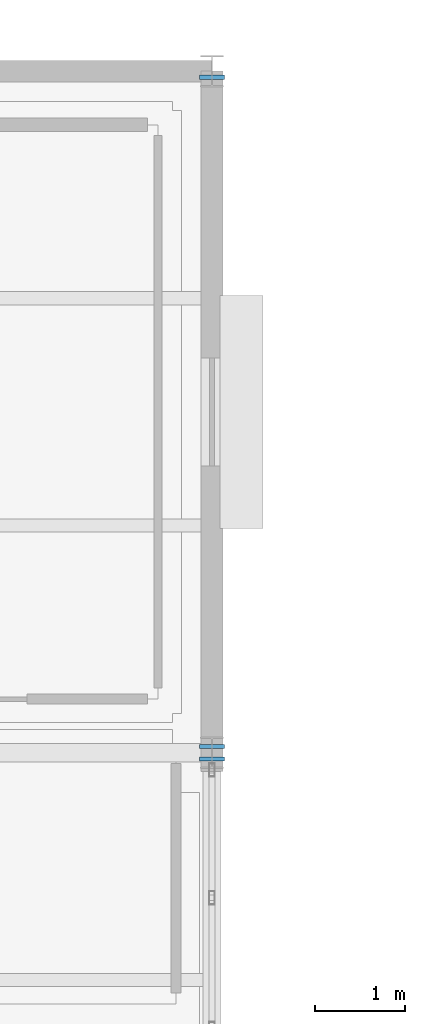
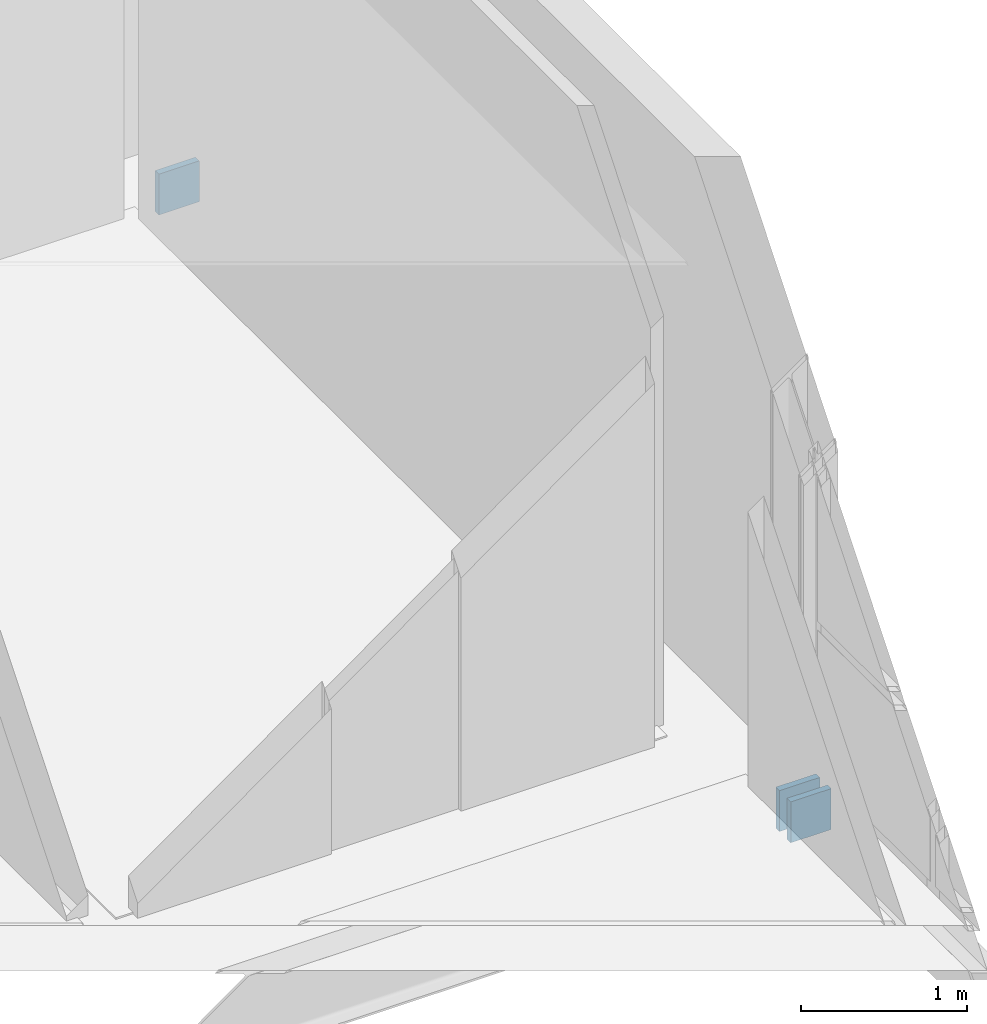
# One storey, part 152 of 174: 3 plates.
"""IFC4 building model written with IfcOpenShell, lengths in metres."""

from ifc_helpers import new_model, si_unit, direction, frame, origin, origin_2d, place, context, subcontext, project, spatial, rectangle, extrude, material, layer, layer_set, type_object, element, save


model = new_model("IFC4")

# Units and contexts
model_context = context("Model", 3, precision=1e-05, world=origin(), true_north=direction((0.0, 1.0)))
body_context = subcontext(model_context, "Body", "Model", "MODEL_VIEW")
ifc_project = project(units=[si_unit("LENGTHUNIT", "METRE"), si_unit("AREAUNIT", "SQUARE_METRE"), si_unit("VOLUMEUNIT", "CUBIC_METRE"), si_unit("PLANEANGLEUNIT", "RADIAN"), si_unit("MASSUNIT", "GRAM", prefix="KILO")], contexts=[model_context])

# Site, building, storey
site_placement = place(None, origin())
site = spatial("IfcSite", under=ifc_project, at=site_placement, CompositionType="ELEMENT")
building_placement = place(site_placement, origin())
building = spatial("IfcBuilding", under=site, at=building_placement, Name="Caisbarro Railhouse Central Library", CompositionType="ELEMENT")
storey_placement = place(building_placement, frame((0.0, 0.0, 5.0400390625)))
storey = spatial("IfcBuildingStorey", under=building, at=storey_placement, Name="L01", CompositionType="ELEMENT", Elevation=5.0400390625)

# Plates
ifc_material = material(Name="Steel ASTM A572 Grade 50", Category="steel")
ifc_layer = layer(ifc_material, 0.044921875, Name="Steel ASTM A572 Grade 50")
ifc_layer_set = layer_set([ifc_layer], Name="Steel ASTM A572 Grade 50")
plate_type = type_object("IfcPlateType", Name="PLT-EP01", PredefinedType="SHEET", material=ifc_layer_set)
for number, where, z_axis, x_axis, name in (
    (1, (153.0, 106.33203125, -0.52001953125), (0.0, 0.0, 1.0), (0.0, 1.0, 0.0), "EP01 end cap plate"),
    (2, (153.0, 106.468017578125, -0.52001953125), (0.0, 0.0, 1.0), (0.0, 1.0, 0.0), "EP01 end cap plate"),
    (3, (153.0, 113.931884765625, -0.52001953125), (0.0, 0.0, 1.0), (0.0, 1.0, 0.0), "EP01 end cap plate"),
):
    element("IfcPlate", number, at=place(storey_placement, frame(where, z_axis=z_axis, x_axis=x_axis)), inside=storey, type_object=plate_type, Name=name, PredefinedType="SHEET", context=body_context, shape_type="SweptSolid", body=[
        extrude(rectangle(XDim=0.044921875, YDim=0.280029296875, at=origin_2d()), origin(), (0.0, 0.0, 1.0), 0.300048828125),
    ])

save(model, "model.ifc")
